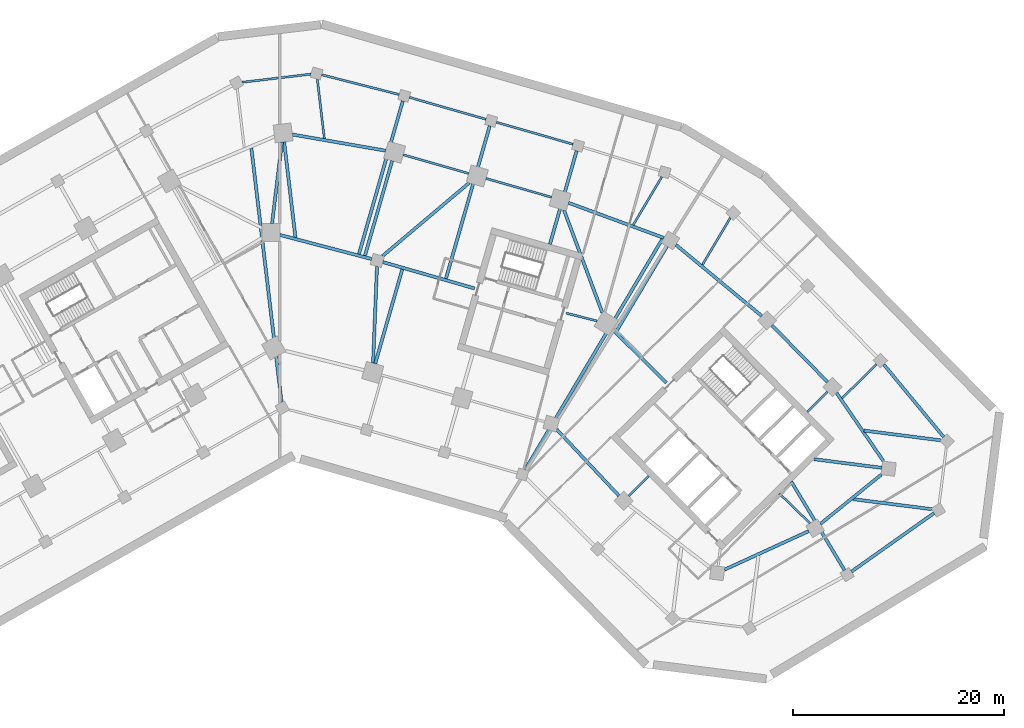
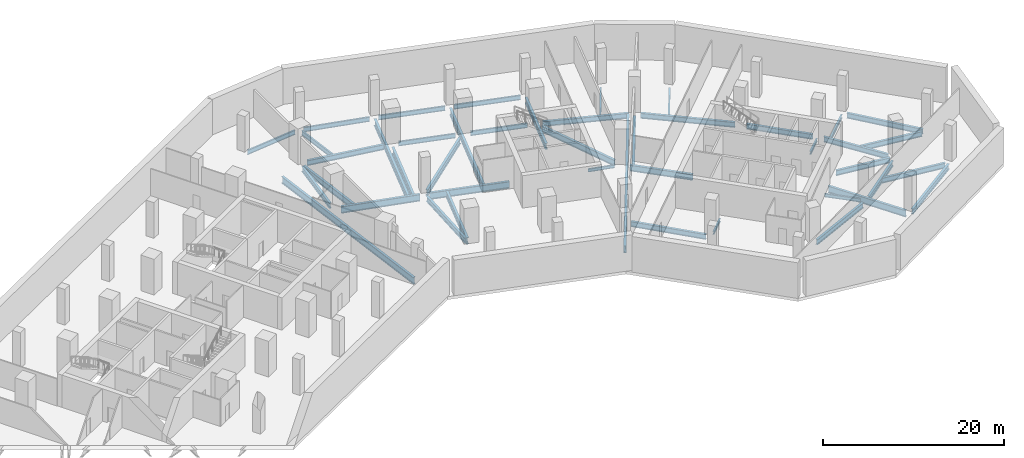
# One storey, part 3 of 13: 44 beams.
"""IFC4 building model written with IfcOpenShell, lengths in metres."""

from ifc_helpers import new_model, si_unit, direction, frame, origin, origin_2d, place, context, subcontext, project, spatial, i_section, extrude, material, material_profile, profile_set, type_object, element, save


model = new_model("IFC4")

# Units and contexts
model_context = context("Model", 3, precision=1e-05, world=origin(), true_north=direction((0.0, 1.0)))
body_context = subcontext(model_context, "Body", "Model", "MODEL_VIEW")
ifc_project = project(units=[si_unit("LENGTHUNIT", "METRE"), si_unit("AREAUNIT", "SQUARE_METRE"), si_unit("VOLUMEUNIT", "CUBIC_METRE"), si_unit("PLANEANGLEUNIT", "RADIAN"), si_unit("MASSUNIT", "GRAM", prefix="KILO")], contexts=[model_context])

# Site, building, storey
site_placement = place(None, origin())
site = spatial("IfcSite", under=ifc_project, at=site_placement, CompositionType="ELEMENT")
building_placement = place(site_placement, origin())
building = spatial("IfcBuilding", under=site, at=building_placement, Name="Binnacle Exchange Tower", CompositionType="ELEMENT")
storey_placement = place(building_placement, frame((0.0, 0.0, -4.800048828125)))
storey = spatial("IfcBuildingStorey", under=building, at=storey_placement, Name="B1", CompositionType="ELEMENT", Elevation=-4.800048828125)

# Beams
ifc_material = material(Name="Steel S355 (SHN355)", Category="steel")
ifc_material_profile_1 = material_profile(ifc_material, i_section(OverallWidth=0.199951171875, OverallDepth=0.60009765625, WebThickness=0.010986328125, FlangeThickness=0.01708984375, FilletRadius=0.02197265625, at=origin_2d()), Name="H 600x200x11x17")
ifc_profile_set_1 = profile_set([ifc_material_profile_1], Name="Steel S355 (SHN355)")
beam_type_1 = type_object("IfcBeamType", Name="Edge girder H 600x200x11x17 Steel S355 (SHN355)", PredefinedType="SPANDREL", material=ifc_profile_set_1)
beam_1_placement = place(storey_placement, frame((-3.577392578125, 74.2734375, -0.699951171875), z_axis=(0.993065632937, 0.117561255009, 0.0), x_axis=(-0.117561255009, 0.993065632937, 0.0)))
element("IfcBeam", 1, at=beam_1_placement, inside=storey, type_object=beam_type_1, Name="S:BM:edge:B1:042", PredefinedType="SPANDREL", context=body_context, shape_type="SweptSolid", body=[
    extrude(i_section(OverallWidth=0.199951171875, OverallDepth=0.60009765625, WebThickness=0.010986328125, FlangeThickness=0.01708984375, FilletRadius=0.02197265625, at=origin_2d()), origin(), (0.0, 0.0, 1.0), 6.57080078125),
])
ifc_material_profile_2 = material_profile(ifc_material, i_section(OverallWidth=0.200927734375, OverallDepth=0.60595703125, WebThickness=0.011962890625, FlangeThickness=0.02001953125, FilletRadius=0.02197265625, at=origin_2d()), Name="H 606x201x12x20")
ifc_profile_set_2 = profile_set([ifc_material_profile_2], Name="Steel S355 (SHN355)")
beam_type_2 = type_object("IfcBeamType", Name="Edge girder H 606x201x12x20 Steel S355 (SHN355)", PredefinedType="SPANDREL", material=ifc_profile_set_2)
for number, where, z_axis, x_axis, name in (
    (2, (17.92919921875, 65.610595703125, -0.702880859375), (-0.961261624999, 0.275637603213, 0.0), (-0.275637603213, -0.961261624999, 0.0), "S:BM:edge:B1:052"),
    (3, (25.78564453125, 63.35791015625, -0.702880859375), (-0.961271618025, 0.275602751036, 0.0), (-0.275602751036, -0.961271618025, 0.0), "S:BM:edge:B1:056"),
):
    element("IfcBeam", number, at=place(storey_placement, frame(where, z_axis=z_axis, x_axis=x_axis)), inside=storey, type_object=beam_type_2, Name=name, PredefinedType="SPANDREL", context=body_context, shape_type="SweptSolid", body=[
        extrude(i_section(OverallWidth=0.200927734375, OverallDepth=0.60595703125, WebThickness=0.011962890625, FlangeThickness=0.02001953125, FilletRadius=0.02197265625, at=origin_2d()), origin(), (0.0, 0.0, 1.0), 6.472900390625),
    ])
ifc_material_profile_3 = material_profile(ifc_material, i_section(OverallWidth=0.201904296875, OverallDepth=0.612060546875, WebThickness=0.012939453125, FlangeThickness=0.02294921875, FilletRadius=0.02197265625, at=origin_2d()), Name="H 612x202x13x23")
ifc_profile_set_3 = profile_set([ifc_material_profile_3], Name="Steel S355 (SHN355)")
beam_type_3 = type_object("IfcBeamType", Name="Edge girder H 612x202x13x23 Steel S355 (SHN355)", PredefinedType="SPANDREL", material=ifc_profile_set_3)
beam_2_placement = place(storey_placement, frame((3.970703125, 74.985595703125, -0.7060546875), z_axis=(0.96888078872, -0.247527811062, 0.0), x_axis=(0.247527811062, 0.96888078872, 0.0)))
element("IfcBeam", 4, at=beam_2_placement, inside=storey, type_object=beam_type_3, Name="S:BM:edge:B1:046", PredefinedType="SPANDREL", context=body_context, shape_type="SweptSolid", body=[
    extrude(i_section(OverallWidth=0.201904296875, OverallDepth=0.612060546875, WebThickness=0.012939453125, FlangeThickness=0.02294921875, FilletRadius=0.02197265625, at=origin_2d()), origin(), (0.0, 0.0, 1.0), 7.589599609375),
])
beam_3_placement = place(storey_placement, frame((12.289306640625, 72.84521484375, -0.7060546875), z_axis=(0.961270944274, -0.275605100996, 0.0), x_axis=(0.275605100996, 0.961270944274, 0.0)))
element("IfcBeam", 5, at=beam_3_placement, inside=storey, type_object=beam_type_3, Name="S:BM:edge:B1:050", PredefinedType="SPANDREL", context=body_context, shape_type="SweptSolid", body=[
    extrude(i_section(OverallWidth=0.201904296875, OverallDepth=0.612060546875, WebThickness=0.012939453125, FlangeThickness=0.02294921875, FilletRadius=0.02197265625, at=origin_2d()), origin(), (0.0, 0.0, 1.0), 7.586181640625),
])
beam_4_placement = place(storey_placement, frame((20.54296875, 70.478759765625, -0.7060546875), z_axis=(0.961262417922, -0.275634837948, 0.0), x_axis=(0.275634837948, 0.961262417922, 0.0)))
element("IfcBeam", 6, at=beam_4_placement, inside=storey, type_object=beam_type_3, Name="S:BM:edge:B1:054", PredefinedType="SPANDREL", context=body_context, shape_type="SweptSolid", body=[
    extrude(i_section(OverallWidth=0.201904296875, OverallDepth=0.612060546875, WebThickness=0.012939453125, FlangeThickness=0.02294921875, FilletRadius=0.02197265625, at=origin_2d()), origin(), (0.0, 0.0, 1.0), 7.58642578125),
])
ifc_material_profile_4 = material_profile(ifc_material, i_section(OverallWidth=0.300048828125, OverallDepth=0.699951171875, WebThickness=0.012939453125, FlangeThickness=0.02392578125, FilletRadius=0.028076171875, at=origin_2d()), Name="H 700x300x13x24")
ifc_profile_set_4 = profile_set([ifc_material_profile_4], Name="Steel S355 (SHN355)")
beam_type_4 = type_object("IfcBeamType", Name="Edge girder H 700x300x13x24 Steel S355 (SHN355)", PredefinedType="SPANDREL", material=ifc_profile_set_4)
beam_5_placement = place(storey_placement, frame((10.047607421875, 67.77490234375, -0.75), z_axis=(-0.985312460293, 0.17076110679, 0.0), x_axis=(-0.17076110679, -0.985312460293, 0.0)))
element("IfcBeam", 7, at=beam_5_placement, inside=storey, type_object=beam_type_4, Name="S:BM:edge:B1:049", PredefinedType="SPANDREL", context=body_context, shape_type="SweptSolid", body=[
    extrude(i_section(OverallWidth=0.300048828125, OverallDepth=0.699951171875, WebThickness=0.012939453125, FlangeThickness=0.02392578125, FilletRadius=0.028076171875, at=origin_2d()), origin(), (0.0, 0.0, 1.0), 9.005859375),
])
beam_6_placement = place(storey_placement, frame((26.284912109375, 41.3076171875, -0.75), z_axis=(0.684056711164, -0.729428828544, 0.0), x_axis=(0.729428828544, 0.684056711164, 0.0)))
element("IfcBeam", 8, at=beam_6_placement, inside=storey, type_object=beam_type_4, Name="S:BM:edge:B1:057", PredefinedType="SPANDREL", context=body_context, shape_type="SweptSolid", body=[
    extrude(i_section(OverallWidth=0.300048828125, OverallDepth=0.699951171875, WebThickness=0.012939453125, FlangeThickness=0.02392578125, FilletRadius=0.028076171875, at=origin_2d()), origin(), (0.0, 0.0, 1.0), 8.6416015625),
])
beam_7_placement = place(storey_placement, frame((36.464599609375, 59.490966796875, -0.75), z_axis=(-0.938368148393, 0.345637408395, 0.0), x_axis=(-0.345637408395, -0.938368148393, 0.0)))
element("IfcBeam", 9, at=beam_7_placement, inside=storey, type_object=beam_type_4, Name="S:BM:edge:B1:061", PredefinedType="SPANDREL", context=body_context, shape_type="SweptSolid", body=[
    extrude(i_section(OverallWidth=0.300048828125, OverallDepth=0.699951171875, WebThickness=0.012939453125, FlangeThickness=0.02392578125, FilletRadius=0.028076171875, at=origin_2d()), origin(), (0.0, 0.0, 1.0), 9.6572265625),
])
beam_8_placement = place(storey_placement, frame((42.215576171875, 27.99365234375, -0.75), z_axis=(0.909179052108, 0.416405392866, 0.0), x_axis=(-0.416405392866, 0.909179052108, 0.0)))
element("IfcBeam", 10, at=beam_8_placement, inside=storey, type_object=beam_type_4, Name="S:BM:edge:B1:064", PredefinedType="SPANDREL", context=body_context, shape_type="SweptSolid", body=[
    extrude(i_section(OverallWidth=0.300048828125, OverallDepth=0.699951171875, WebThickness=0.012939453125, FlangeThickness=0.02392578125, FilletRadius=0.028076171875, at=origin_2d()), origin(), (0.0, 0.0, 1.0), 8.801025390625),
])
beam_9_placement = place(storey_placement, frame((51.322265625, 32.343505859375, -0.75), z_axis=(0.777568489665, 0.628798253719, 0.0), x_axis=(-0.628798253719, 0.777568489665, 0.0)))
element("IfcBeam", 11, at=beam_9_placement, inside=storey, type_object=beam_type_4, Name="S:BM:edge:B1:069", PredefinedType="SPANDREL", context=body_context, shape_type="SweptSolid", body=[
    extrude(i_section(OverallWidth=0.300048828125, OverallDepth=0.699951171875, WebThickness=0.012939453125, FlangeThickness=0.02392578125, FilletRadius=0.028076171875, at=origin_2d()), origin(), (0.0, 0.0, 1.0), 7.428955078125),
])
beam_10_placement = place(storey_placement, frame((52.010986328125, 45.802978515625, -0.75), z_axis=(-0.700905226564, 0.713254417004, 0.0), x_axis=(-0.713254417004, -0.700905226564, 0.0)))
element("IfcBeam", 12, at=beam_10_placement, inside=storey, type_object=beam_type_4, Name="S:BM:edge:B1:070", PredefinedType="SPANDREL", context=body_context, shape_type="SweptSolid", body=[
    extrude(i_section(OverallWidth=0.300048828125, OverallDepth=0.699951171875, WebThickness=0.012939453125, FlangeThickness=0.02392578125, FilletRadius=0.028076171875, at=origin_2d()), origin(), (0.0, 0.0, 1.0), 7.57177734375),
])
beam_11_placement = place(storey_placement, frame((57.305419921875, 38.299072265625, -0.75), z_axis=(-0.566409202341, 0.82412415054, 0.0), x_axis=(-0.82412415054, -0.566409202341, 0.0)))
element("IfcBeam", 13, at=beam_11_placement, inside=storey, type_object=beam_type_4, Name="S:BM:edge:B1:072", PredefinedType="SPANDREL", context=body_context, shape_type="SweptSolid", body=[
    extrude(i_section(OverallWidth=0.300048828125, OverallDepth=0.699951171875, WebThickness=0.012939453125, FlangeThickness=0.02392578125, FilletRadius=0.028076171875, at=origin_2d()), origin(), (0.0, 0.0, 1.0), 7.8828125),
])
beam_12_placement = place(storey_placement, frame((57.341796875, 47.46484375, -0.75), z_axis=(0.63729683622, -0.770618415653, 0.0), x_axis=(0.770618415653, 0.63729683622, 0.0)))
element("IfcBeam", 14, at=beam_12_placement, inside=storey, type_object=beam_type_4, Name="S:BM:edge:B1:073", PredefinedType="SPANDREL", context=body_context, shape_type="SweptSolid", body=[
    extrude(i_section(OverallWidth=0.300048828125, OverallDepth=0.699951171875, WebThickness=0.012939453125, FlangeThickness=0.02392578125, FilletRadius=0.028076171875, at=origin_2d()), origin(), (0.0, 0.0, 1.0), 8.928955078125),
])
beam_13_placement = place(storey_placement, frame((62.111083984375, 33.36767578125, -0.75), z_axis=(-0.815901600123, -0.578190780726, 0.0), x_axis=(0.578190780726, -0.815901600123, 0.0)))
element("IfcBeam", 15, at=beam_13_placement, inside=storey, type_object=beam_type_4, Name="S:BM:edge:B1:074", PredefinedType="SPANDREL", context=body_context, shape_type="SweptSolid", body=[
    extrude(i_section(OverallWidth=0.300048828125, OverallDepth=0.699951171875, WebThickness=0.012939453125, FlangeThickness=0.02392578125, FilletRadius=0.028076171875, at=origin_2d()), origin(), (0.0, 0.0, 1.0), 9.60693359375),
])
ifc_material_profile_5 = material_profile(ifc_material, i_section(OverallWidth=0.302001953125, OverallDepth=0.7080078125, WebThickness=0.014892578125, FlangeThickness=0.028076171875, FilletRadius=0.028076171875, at=origin_2d()), Name="H 708x302x15x28")
ifc_profile_set_5 = profile_set([ifc_material_profile_5], Name="Steel S355 (SHN355)")
beam_type_5 = type_object("IfcBeamType", Name="Edge girder H 708x302x15x28 Steel S355 (SHN355)", PredefinedType="SPANDREL", material=ifc_profile_set_5)
beam_14_placement = place(storey_placement, frame((45.7451171875, 52.084228515625, -0.75390625), z_axis=(-0.769906025895, 0.638157277864, 0.0), x_axis=(-0.638157277864, -0.769906025895, 0.0)))
element("IfcBeam", 16, at=beam_14_placement, inside=storey, type_object=beam_type_5, Name="S:BM:edge:B1:067", PredefinedType="SPANDREL", context=body_context, shape_type="SweptSolid", body=[
    extrude(i_section(OverallWidth=0.302001953125, OverallDepth=0.7080078125, WebThickness=0.014892578125, FlangeThickness=0.028076171875, FilletRadius=0.028076171875, at=origin_2d()), origin(), (0.0, 0.0, 1.0), 10.59033203125),
])
ifc_material_profile_6 = material_profile(ifc_material, i_section(OverallWidth=0.199951171875, OverallDepth=0.39990234375, WebThickness=0.008056640625, FlangeThickness=0.012939453125, FilletRadius=0.01611328125, at=origin_2d()), Name="H 400x200x8x13")
ifc_profile_set_6 = profile_set([ifc_material_profile_6], Name="Steel S355 (SHN355)")
beam_type_6 = type_object("IfcBeamType", Name="Floor beam H 400x200x8x13 Steel S355 (SHN355)", PredefinedType="BEAM", material=ifc_profile_set_6)
for number, where, z_axis, x_axis, name in (
    (17, (33.104736328125, 34.985595703125, -0.599853515625), (0.713254209224, 0.700905438004, 0.0), (-0.700905438004, 0.713254209224, 0.0), "S:BM:cross:B1:114"),
    (18, (52.003173828125, 44.8837890625, -0.599853515625), (-0.713254209224, -0.700905438004, 0.0), (0.700905438004, -0.713254209224, 0.0), "S:BM:cross:B1:122"),
):
    element("IfcBeam", number, at=place(storey_placement, frame(where, z_axis=z_axis, x_axis=x_axis)), inside=storey, type_object=beam_type_6, Name=name, PredefinedType="BEAM", context=body_context, shape_type="SweptSolid", body=[
        extrude(i_section(OverallWidth=0.199951171875, OverallDepth=0.39990234375, WebThickness=0.008056640625, FlangeThickness=0.012939453125, FilletRadius=0.01611328125, at=origin_2d()), origin(), (0.0, 0.0, 1.0), 2.70849609375),
    ])
ifc_material_profile_7 = material_profile(ifc_material, i_section(OverallWidth=0.200927734375, OverallDepth=0.506103515625, WebThickness=0.010986328125, FlangeThickness=0.01904296875, FilletRadius=0.02001953125, at=origin_2d()), Name="H 506x201x11x19")
ifc_profile_set_7 = profile_set([ifc_material_profile_7], Name="Steel S355 (SHN355)")
beam_type_7 = type_object("IfcBeamType", Name="Floor beam H 506x201x11x19 Steel S355 (SHN355)", PredefinedType="BEAM", material=ifc_profile_set_7)
beam_15_placement = place(storey_placement, frame((56.665283203125, 47.501220703125, -0.65283203125), z_axis=(-0.713253693622, -0.70090596269, 0.0), x_axis=(0.70090596269, -0.713253693622, 0.0)))
element("IfcBeam", 19, at=beam_15_placement, inside=storey, type_object=beam_type_7, Name="S:BM:cross:B1:124", PredefinedType="BEAM", context=body_context, shape_type="SweptSolid", body=[
    extrude(i_section(OverallWidth=0.200927734375, OverallDepth=0.506103515625, WebThickness=0.010986328125, FlangeThickness=0.01904296875, FilletRadius=0.02001953125, at=origin_2d()), origin(), (0.0, 0.0, 1.0), 4.60693359375),
])
ifc_material_profile_8 = material_profile(ifc_material, i_section(OverallWidth=0.200927734375, OverallDepth=0.60595703125, WebThickness=0.011962890625, FlangeThickness=0.02001953125, FilletRadius=0.02197265625, at=origin_2d()), Name="H 606x201x12x20")
ifc_profile_set_8 = profile_set([ifc_material_profile_8], Name="Steel S355 (SHN355)")
beam_type_8 = type_object("IfcBeamType", Name="Floor beam H 606x201x12x20 Steel S355 (SHN355)", PredefinedType="BEAM", material=ifc_profile_set_8)
beam_16_placement = place(storey_placement, frame((36.263916015625, 65.294677734375, -0.702880859375), z_axis=(-0.511292595627, -0.859406703288, 0.0), x_axis=(0.859406703288, -0.511292595627, 0.0)))
element("IfcBeam", 20, at=beam_16_placement, inside=storey, type_object=beam_type_8, Name="S:BM:cross:B1:115", PredefinedType="BEAM", context=body_context, shape_type="SweptSolid", body=[
    extrude(i_section(OverallWidth=0.200927734375, OverallDepth=0.60595703125, WebThickness=0.011962890625, FlangeThickness=0.02001953125, FilletRadius=0.02197265625, at=origin_2d()), origin(), (0.0, 0.0, 1.0), 5.31884765625),
])
beam_17_placement = place(storey_placement, frame((42.778076171875, 61.419189453125, -0.702880859375), z_axis=(-0.511272874429, -0.859418435847, 0.0), x_axis=(0.859418435847, -0.511272874429, 0.0)))
element("IfcBeam", 21, at=beam_17_placement, inside=storey, type_object=beam_type_8, Name="S:BM:cross:B1:119", PredefinedType="BEAM", context=body_context, shape_type="SweptSolid", body=[
    extrude(i_section(OverallWidth=0.200927734375, OverallDepth=0.60595703125, WebThickness=0.011962890625, FlangeThickness=0.02001953125, FilletRadius=0.02197265625, at=origin_2d()), origin(), (0.0, 0.0, 1.0), 5.208251953125),
])
ifc_material_profile_9 = material_profile(ifc_material, i_section(OverallWidth=0.201904296875, OverallDepth=0.612060546875, WebThickness=0.012939453125, FlangeThickness=0.02294921875, FilletRadius=0.02197265625, at=origin_2d()), Name="H 612x202x13x23")
ifc_profile_set_9 = profile_set([ifc_material_profile_9], Name="Steel S355 (SHN355)")
beam_type_9 = type_object("IfcBeamType", Name="Floor beam H 612x202x13x23 Steel S355 (SHN355)", PredefinedType="BEAM", material=ifc_profile_set_9)
beam_18_placement = place(storey_placement, frame((3.5498046875, 74.571044921875, -0.7060546875), z_axis=(0.117529616855, -0.993069377819, 0.0), x_axis=(0.993069377819, 0.117529616855, 0.0)))
element("IfcBeam", 22, at=beam_18_placement, inside=storey, type_object=beam_type_9, Name="S:BM:cross:B1:104", PredefinedType="BEAM", context=body_context, shape_type="SweptSolid", body=[
    extrude(i_section(OverallWidth=0.201904296875, OverallDepth=0.612060546875, WebThickness=0.012939453125, FlangeThickness=0.02294921875, FilletRadius=0.02197265625, at=origin_2d()), origin(), (0.0, 0.0, 1.0), 5.67919921875),
])
ifc_material_profile_10 = material_profile(ifc_material, i_section(OverallWidth=0.300048828125, OverallDepth=0.699951171875, WebThickness=0.012939453125, FlangeThickness=0.02392578125, FilletRadius=0.028076171875, at=origin_2d()), Name="H 700x300x13x24")
ifc_profile_set_10 = profile_set([ifc_material_profile_10], Name="Steel S355 (SHN355)")
beam_type_10 = type_object("IfcBeamType", Name="Floor beam H 700x300x13x24 Steel S355 (SHN355)", PredefinedType="BEAM", material=ifc_profile_set_10)
beam_19_placement = place(storey_placement, frame((57.154296875, 37.6630859375, -0.75), z_axis=(-0.992006658356, 0.126185537116, 0.0), x_axis=(-0.126185537116, -0.992006658356, 0.0)))
element("IfcBeam", 23, at=beam_19_placement, inside=storey, type_object=beam_type_10, Name="S:BM:cross:B1:125", PredefinedType="BEAM", context=body_context, shape_type="SweptSolid", body=[
    extrude(i_section(OverallWidth=0.300048828125, OverallDepth=0.699951171875, WebThickness=0.012939453125, FlangeThickness=0.02392578125, FilletRadius=0.028076171875, at=origin_2d()), origin(), (0.0, 0.0, 1.0), 6.4814453125),
])
beam_20_placement = place(storey_placement, frame((61.888427734375, 33.73779296875, -0.75), z_axis=(-0.992002917096, 0.12621494552, 0.0), x_axis=(-0.12621494552, -0.992002917096, 0.0)))
element("IfcBeam", 24, at=beam_20_placement, inside=storey, type_object=beam_type_10, Name="S:BM:cross:B1:126", PredefinedType="BEAM", context=body_context, shape_type="SweptSolid", body=[
    extrude(i_section(OverallWidth=0.300048828125, OverallDepth=0.699951171875, WebThickness=0.012939453125, FlangeThickness=0.02392578125, FilletRadius=0.028076171875, at=origin_2d()), origin(), (0.0, 0.0, 1.0), 7.551513671875),
])
beam_21_placement = place(storey_placement, frame((62.720458984375, 40.277587890625, -0.75), z_axis=(-0.992000413131, 0.126234624202, 0.0), x_axis=(-0.126234624202, -0.992000413131, 0.0)))
element("IfcBeam", 25, at=beam_21_placement, inside=storey, type_object=beam_type_10, Name="S:BM:cross:B1:127", PredefinedType="BEAM", context=body_context, shape_type="SweptSolid", body=[
    extrude(i_section(OverallWidth=0.300048828125, OverallDepth=0.699951171875, WebThickness=0.012939453125, FlangeThickness=0.02392578125, FilletRadius=0.028076171875, at=origin_2d()), origin(), (0.0, 0.0, 1.0), 7.333740234375),
])
ifc_material_profile_11 = material_profile(ifc_material, i_section(OverallWidth=0.302001953125, OverallDepth=0.80810546875, WebThickness=0.01611328125, FlangeThickness=0.030029296875, FilletRadius=0.028076171875, at=origin_2d()), Name="H 808x302x16x30")
ifc_profile_set_11 = profile_set([ifc_material_profile_11], Name="Steel S355 (SHN355)")
beam_type_11 = type_object("IfcBeamType", Name="Floor beam H 808x302x16x30 Steel S355 (SHN355)", PredefinedType="BEAM", material=ifc_profile_set_11)
beam_22_placement = place(storey_placement, frame((0.39990234375, 68.6201171875, -0.803955078125), z_axis=(0.117562643201, -0.993065468599, 0.0), x_axis=(0.993065468599, 0.117562643201, 0.0)))
element("IfcBeam", 26, at=beam_22_placement, inside=storey, type_object=beam_type_11, Name="S:BM:cross:B1:103", PredefinedType="BEAM", context=body_context, shape_type="SweptSolid", body=[
    extrude(i_section(OverallWidth=0.302001953125, OverallDepth=0.80810546875, WebThickness=0.01611328125, FlangeThickness=0.030029296875, FilletRadius=0.028076171875, at=origin_2d()), origin(), (0.0, 0.0, 1.0), 9.14990234375),
])
beam_23_placement = place(storey_placement, frame((28.17822265625, 67.769287109375, -0.803955078125), z_axis=(-0.275646254267, -0.961259144304, 0.0), x_axis=(0.961259144304, -0.275646254267, 0.0)))
element("IfcBeam", 27, at=beam_23_placement, inside=storey, type_object=beam_type_11, Name="S:BM:cross:B1:112", PredefinedType="BEAM", context=body_context, shape_type="SweptSolid", body=[
    extrude(i_section(OverallWidth=0.302001953125, OverallDepth=0.80810546875, WebThickness=0.01611328125, FlangeThickness=0.030029296875, FilletRadius=0.028076171875, at=origin_2d()), origin(), (0.0, 0.0, 1.0), 9.235107421875),
])
beam_24_placement = place(storey_placement, frame((36.752685546875, 58.703857421875, -0.803955078125), z_axis=(-0.511298188751, -0.859403375709, 0.0), x_axis=(0.859403375709, -0.511298188751, 0.0)))
element("IfcBeam", 28, at=beam_24_placement, inside=storey, type_object=beam_type_11, Name="S:BM:cross:B1:116", PredefinedType="BEAM", context=body_context, shape_type="SweptSolid", body=[
    extrude(i_section(OverallWidth=0.302001953125, OverallDepth=0.80810546875, WebThickness=0.01611328125, FlangeThickness=0.030029296875, FilletRadius=0.028076171875, at=origin_2d()), origin(), (0.0, 0.0, 1.0), 9.385986328125),
])
ifc_material_profile_12 = material_profile(ifc_material, i_section(OverallWidth=0.300048828125, OverallDepth=0.89990234375, WebThickness=0.01611328125, FlangeThickness=0.028076171875, FilletRadius=0.028076171875, at=origin_2d()), Name="H 900x300x16x28")
ifc_profile_set_12 = profile_set([ifc_material_profile_12], Name="Steel S355 (SHN355)")
beam_type_12 = type_object("IfcBeamType", Name="Floor beam H 900x300x16x28 Steel S355 (SHN355)", PredefinedType="BEAM", material=ifc_profile_set_12)
beam_25_placement = place(storey_placement, frame((9.043701171875, 47.539306640625, -0.849853515625), z_axis=(0.275646698205, 0.961259017003, 0.0), x_axis=(-0.961259017003, 0.275646698205, 0.0)))
element("IfcBeam", 29, at=beam_25_placement, inside=storey, type_object=beam_type_12, Name="S:BM:cross:B1:106", PredefinedType="BEAM", context=body_context, shape_type="SweptSolid", body=[
    extrude(i_section(OverallWidth=0.300048828125, OverallDepth=0.89990234375, WebThickness=0.01611328125, FlangeThickness=0.028076171875, FilletRadius=0.028076171875, at=origin_2d()), origin(), (0.0, 0.0, 1.0), 9.335205078125),
])
beam_26_placement = place(storey_placement, frame((10.65576171875, 66.81201171875, -0.849853515625), z_axis=(-0.275626703457, -0.961264750389, 0.0), x_axis=(0.961264750389, -0.275626703457, 0.0)))
element("IfcBeam", 30, at=beam_26_placement, inside=storey, type_object=beam_type_12, Name="S:BM:cross:B1:107", PredefinedType="BEAM", context=body_context, shape_type="SweptSolid", body=[
    extrude(i_section(OverallWidth=0.300048828125, OverallDepth=0.89990234375, WebThickness=0.01611328125, FlangeThickness=0.028076171875, FilletRadius=0.028076171875, at=origin_2d()), origin(), (0.0, 0.0, 1.0), 9.363525390625),
])
beam_27_placement = place(storey_placement, frame((53.606201171875, 27.95166015625, -0.849853515625), z_axis=(-0.515037836235, 0.857167444112, 0.0), x_axis=(-0.857167444112, -0.515037836235, 0.0)))
element("IfcBeam", 31, at=beam_27_placement, inside=storey, type_object=beam_type_12, Name="S:BM:cross:B1:123", PredefinedType="BEAM", context=body_context, shape_type="SweptSolid", body=[
    extrude(i_section(OverallWidth=0.300048828125, OverallDepth=0.89990234375, WebThickness=0.01611328125, FlangeThickness=0.028076171875, FilletRadius=0.028076171875, at=origin_2d()), origin(), (0.0, 0.0, 1.0), 9.800537109375),
])
ifc_material_profile_13 = material_profile(ifc_material, i_section(OverallWidth=0.302978515625, OverallDepth=0.91796875, WebThickness=0.01904296875, FlangeThickness=0.037109375, FilletRadius=0.028076171875, at=origin_2d()), Name="H 918x303x19x37")
ifc_profile_set_13 = profile_set([ifc_material_profile_13], Name="Steel S355 (SHN355)")
beam_type_13 = type_object("IfcBeamType", Name="Floor beam H 918x303x19x37 Steel S355 (SHN355)", PredefinedType="BEAM", material=ifc_profile_set_13)
beam_28_placement = place(storey_placement, frame((0.15478515625, 43.893798828125, -0.85888671875), z_axis=(-0.117868429999, 0.993029220723, 0.0), x_axis=(-0.993029220723, -0.117868429999, 0.0)))
element("IfcBeam", 32, at=beam_28_placement, inside=storey, type_object=beam_type_13, Name="S:BM:cross:B1:102", PredefinedType="BEAM", context=body_context, shape_type="SweptSolid", body=[
    extrude(i_section(OverallWidth=0.302978515625, OverallDepth=0.91796875, WebThickness=0.01904296875, FlangeThickness=0.037109375, FilletRadius=0.028076171875, at=origin_2d()), origin(), (0.0, 0.0, 1.0), 24.310791015625),
])
beam_29_placement = place(storey_placement, frame((11.6708984375, 72.50244140625, -0.85888671875), z_axis=(-0.275622715185, -0.961265893951, 0.0), x_axis=(0.961265893951, -0.275622715185, 0.0)))
element("IfcBeam", 33, at=beam_29_placement, inside=storey, type_object=beam_type_13, Name="S:BM:cross:B1:108", PredefinedType="BEAM", context=body_context, shape_type="SweptSolid", body=[
    extrude(i_section(OverallWidth=0.302978515625, OverallDepth=0.91796875, WebThickness=0.01904296875, FlangeThickness=0.037109375, FilletRadius=0.028076171875, at=origin_2d()), origin(), (0.0, 0.0, 1.0), 15.12646484375),
])
beam_30_placement = place(storey_placement, frame((19.924560546875, 70.135986328125, -0.85888671875), z_axis=(-0.275629445944, -0.961263964023, 0.0), x_axis=(0.961263964023, -0.275629445944, 0.0)))
element("IfcBeam", 34, at=beam_30_placement, inside=storey, type_object=beam_type_13, Name="S:BM:cross:B1:110", PredefinedType="BEAM", context=body_context, shape_type="SweptSolid", body=[
    extrude(i_section(OverallWidth=0.302978515625, OverallDepth=0.91796875, WebThickness=0.01904296875, FlangeThickness=0.037109375, FilletRadius=0.028076171875, at=origin_2d()), origin(), (0.0, 0.0, 1.0), 15.085205078125),
])
beam_31_placement = place(storey_placement, frame((23.277587890625, 37.476318359375, -0.85888671875), z_axis=(0.511288746337, 0.859408993361, 0.0), x_axis=(-0.859408993361, 0.511288746337, 0.0)))
element("IfcBeam", 35, at=beam_31_placement, inside=storey, type_object=beam_type_13, Name="S:BM:cross:B1:111", PredefinedType="BEAM", context=body_context, shape_type="SweptSolid", body=[
    extrude(i_section(OverallWidth=0.302978515625, OverallDepth=0.91796875, WebThickness=0.01904296875, FlangeThickness=0.037109375, FilletRadius=0.028076171875, at=origin_2d()), origin(), (0.0, 0.0, 1.0), 25.49755859375),
])
ifc_material_profile_14 = material_profile(ifc_material, i_section(OverallWidth=0.199951171875, OverallDepth=0.39990234375, WebThickness=0.008056640625, FlangeThickness=0.012939453125, FilletRadius=0.01611328125, at=origin_2d()), Name="H 400x200x8x13")
ifc_profile_set_14 = profile_set([ifc_material_profile_14], Name="Steel S355 (SHN355)")
beam_type_14 = type_object("IfcBeamType", Name="Spine girder H 400x200x8x13 Steel S355 (SHN355)", PredefinedType="BEAM", material=ifc_profile_set_14)
beam_32_placement = place(storey_placement, frame((27.17138671875, 52.35400390625, -0.599853515625), z_axis=(0.969359627701, -0.245645908136, 0.0), x_axis=(0.245645908136, 0.969359627701, 0.0)))
element("IfcBeam", 36, at=beam_32_placement, inside=storey, type_object=beam_type_14, Name="S:BM:spine:B1:010", PredefinedType="BEAM", context=body_context, shape_type="SweptSolid", body=[
    extrude(i_section(OverallWidth=0.199951171875, OverallDepth=0.39990234375, WebThickness=0.008056640625, FlangeThickness=0.012939453125, FilletRadius=0.01611328125, at=origin_2d()), origin(), (0.0, 0.0, 1.0), 3.046142578125),
])
ifc_material_profile_15 = material_profile(ifc_material, i_section(OverallWidth=0.199951171875, OverallDepth=0.449951171875, WebThickness=0.009033203125, FlangeThickness=0.013916015625, FilletRadius=0.01806640625, at=origin_2d()), Name="H 450x200x9x14")
ifc_profile_set_15 = profile_set([ifc_material_profile_15], Name="Steel S355 (SHN355)")
beam_type_15 = type_object("IfcBeamType", Name="Spine girder H 450x200x9x14 Steel S355 (SHN355)", PredefinedType="BEAM", material=ifc_profile_set_15)
beam_33_placement = place(storey_placement, frame((47.417236328125, 35.23095703125, -0.625), z_axis=(0.717013275689, -0.697059511437, 0.0), x_axis=(0.697059511437, 0.717013275689, 0.0)))
element("IfcBeam", 37, at=beam_33_placement, inside=storey, type_object=beam_type_15, Name="S:BM:spine:B1:013", PredefinedType="BEAM", context=body_context, shape_type="SweptSolid", body=[
    extrude(i_section(OverallWidth=0.199951171875, OverallDepth=0.449951171875, WebThickness=0.009033203125, FlangeThickness=0.013916015625, FilletRadius=0.01806640625, at=origin_2d()), origin(), (0.0, 0.0, 1.0), 4.06201171875),
])
ifc_material_profile_16 = material_profile(ifc_material, i_section(OverallWidth=0.300048828125, OverallDepth=0.699951171875, WebThickness=0.012939453125, FlangeThickness=0.02392578125, FilletRadius=0.028076171875, at=origin_2d()), Name="H 700x300x13x24")
ifc_profile_set_16 = profile_set([ifc_material_profile_16], Name="Steel S355 (SHN355)")
beam_type_16 = type_object("IfcBeamType", Name="Spine girder H 700x300x13x24 Steel S355 (SHN355)", PredefinedType="BEAM", material=ifc_profile_set_16)
beam_34_placement = place(storey_placement, frame((-0.74658203125, 60.85009765625, -0.75), z_axis=(0.120621974738, 0.992698513755, 0.0), x_axis=(-0.992698513755, 0.120621974738, 0.0)))
element("IfcBeam", 38, at=beam_34_placement, inside=storey, type_object=beam_type_16, Name="S:BM:spine:B1:005", PredefinedType="BEAM", context=body_context, shape_type="SweptSolid", body=[
    extrude(i_section(OverallWidth=0.300048828125, OverallDepth=0.699951171875, WebThickness=0.012939453125, FlangeThickness=0.02392578125, FilletRadius=0.028076171875, at=origin_2d()), origin(), (0.0, 0.0, 1.0), 7.802490234375),
])
ifc_material_profile_17 = material_profile(ifc_material, i_section(OverallWidth=0.302001953125, OverallDepth=0.7080078125, WebThickness=0.014892578125, FlangeThickness=0.028076171875, FilletRadius=0.028076171875, at=origin_2d()), Name="H 708x302x15x28")
ifc_profile_set_17 = profile_set([ifc_material_profile_17], Name="Steel S355 (SHN355)")
beam_type_17 = type_object("IfcBeamType", Name="Spine girder H 708x302x15x28 Steel S355 (SHN355)", PredefinedType="BEAM", material=ifc_profile_set_17)
beam_35_placement = place(storey_placement, frame((9.218017578125, 56.78466796875, -0.75390625), z_axis=(-0.040567083206, -0.999176817065, 0.0), x_axis=(0.999176817065, -0.040567083206, 0.0)))
element("IfcBeam", 39, at=beam_35_placement, inside=storey, type_object=beam_type_17, Name="S:BM:spine:B1:007", PredefinedType="BEAM", context=body_context, shape_type="SweptSolid", body=[
    extrude(i_section(OverallWidth=0.302001953125, OverallDepth=0.7080078125, WebThickness=0.014892578125, FlangeThickness=0.028076171875, FilletRadius=0.028076171875, at=origin_2d()), origin(), (0.0, 0.0, 1.0), 9.19580078125),
])
ifc_material_profile_18 = material_profile(ifc_material, i_section(OverallWidth=0.302001953125, OverallDepth=0.80810546875, WebThickness=0.01611328125, FlangeThickness=0.030029296875, FilletRadius=0.028076171875, at=origin_2d()), Name="H 808x302x16x30")
ifc_profile_set_18 = profile_set([ifc_material_profile_18], Name="Steel S355 (SHN355)")
beam_type_18 = type_object("IfcBeamType", Name="Spine girder H 808x302x16x30 Steel S355 (SHN355)", PredefinedType="BEAM", material=ifc_profile_set_18)
beam_36_placement = place(storey_placement, frame((9.74658203125, 57.77734375, -0.803955078125), z_axis=(0.764072930463, 0.64512987602, 0.0), x_axis=(-0.64512987602, 0.764072930463, 0.0)))
element("IfcBeam", 40, at=beam_36_placement, inside=storey, type_object=beam_type_18, Name="S:BM:spine:B1:008", PredefinedType="BEAM", context=body_context, shape_type="SweptSolid", body=[
    extrude(i_section(OverallWidth=0.302001953125, OverallDepth=0.80810546875, WebThickness=0.01611328125, FlangeThickness=0.030029296875, FilletRadius=0.028076171875, at=origin_2d()), origin(), (0.0, 0.0, 1.0), 10.755615234375),
])
beam_37_placement = place(storey_placement, frame((30.614501953125, 52.389892578125, -0.803955078125), z_axis=(-0.350104624168, 0.936710602126, 0.0), x_axis=(-0.936710602126, -0.350104624168, 0.0)))
element("IfcBeam", 41, at=beam_37_placement, inside=storey, type_object=beam_type_18, Name="S:BM:spine:B1:011", PredefinedType="BEAM", context=body_context, shape_type="SweptSolid", body=[
    extrude(i_section(OverallWidth=0.302001953125, OverallDepth=0.80810546875, WebThickness=0.01611328125, FlangeThickness=0.030029296875, FilletRadius=0.028076171875, at=origin_2d()), origin(), (0.0, 0.0, 1.0), 10.4013671875),
])
beam_38_placement = place(storey_placement, frame((31.60888671875, 50.773681640625, -0.803955078125), z_axis=(0.711013452478, -0.703178405809, 0.0), x_axis=(0.703178405809, 0.711013452478, 0.0)))
element("IfcBeam", 42, at=beam_38_placement, inside=storey, type_object=beam_type_18, Name="S:BM:spine:B1:012", PredefinedType="BEAM", context=body_context, shape_type="SweptSolid", body=[
    extrude(i_section(OverallWidth=0.302001953125, OverallDepth=0.80810546875, WebThickness=0.01611328125, FlangeThickness=0.030029296875, FilletRadius=0.028076171875, at=origin_2d()), origin(), (0.0, 0.0, 1.0), 7.166748046875),
])
ifc_material_profile_19 = material_profile(ifc_material, i_section(OverallWidth=0.302978515625, OverallDepth=0.91796875, WebThickness=0.01904296875, FlangeThickness=0.037109375, FilletRadius=0.028076171875, at=origin_2d()), Name="H 918x303x19x37")
ifc_profile_set_19 = profile_set([ifc_material_profile_19], Name="Steel S355 (SHN355)")
beam_type_19 = type_object("IfcBeamType", Name="Spine girder H 918x303x19x37 Steel S355 (SHN355)", PredefinedType="BEAM", material=ifc_profile_set_19)
beam_39_placement = place(storey_placement, frame((0.0, 59.77685546875, -0.85888671875), z_axis=(0.967208571477, -0.253983423202, 0.0), x_axis=(0.253983423202, 0.967208571477, 0.0)))
element("IfcBeam", 43, at=beam_39_placement, inside=storey, type_object=beam_type_19, Name="S:BM:spine:B1:006", PredefinedType="BEAM", context=body_context, shape_type="SweptSolid", body=[
    extrude(i_section(OverallWidth=0.302978515625, OverallDepth=0.91796875, WebThickness=0.01904296875, FlangeThickness=0.037109375, FilletRadius=0.028076171875, at=origin_2d()), origin(), (0.0, 0.0, 1.0), 9.00390625),
])
beam_40_placement = place(storey_placement, frame((9.76953125, 57.198486328125, -0.85888671875), z_axis=(0.961265329417, -0.275624684057, 0.0), x_axis=(0.275624684057, 0.961265329417, 0.0)))
element("IfcBeam", 44, at=beam_40_placement, inside=storey, type_object=beam_type_19, Name="S:BM:spine:B1:009", PredefinedType="BEAM", context=body_context, shape_type="SweptSolid", body=[
    extrude(i_section(OverallWidth=0.302978515625, OverallDepth=0.91796875, WebThickness=0.01904296875, FlangeThickness=0.037109375, FilletRadius=0.028076171875, at=origin_2d()), origin(), (0.0, 0.0, 1.0), 9.063232421875),
])

save(model, "model.ifc")
